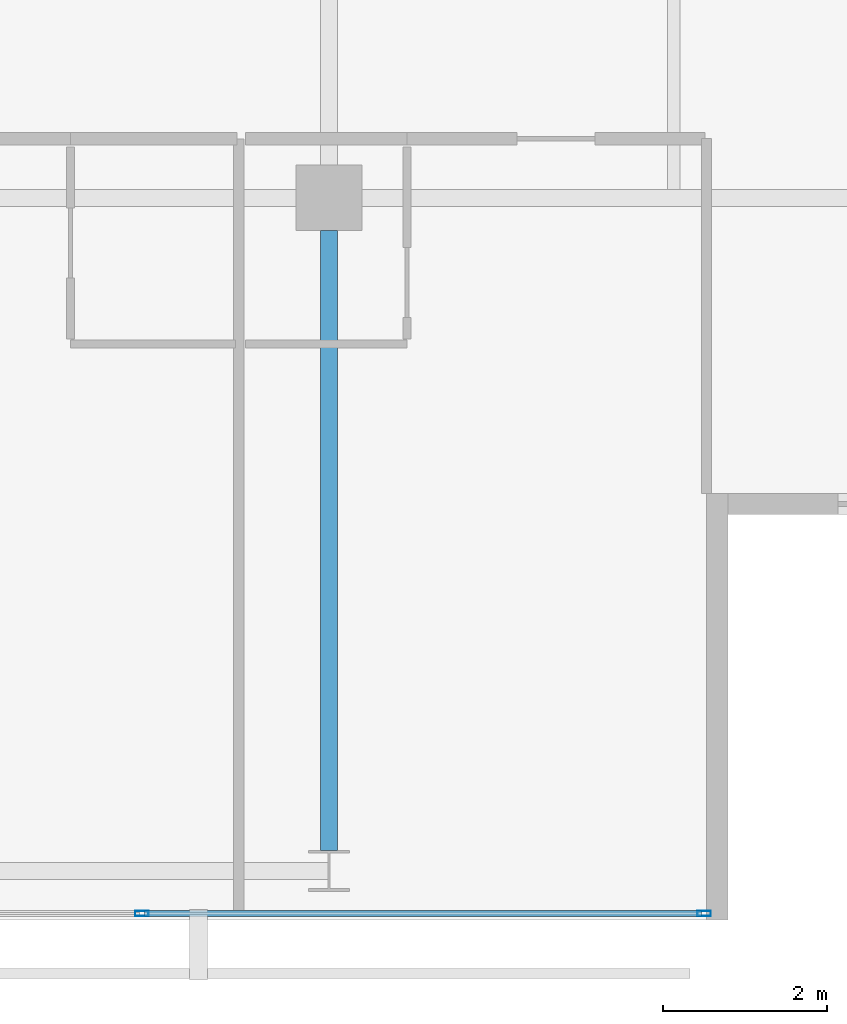
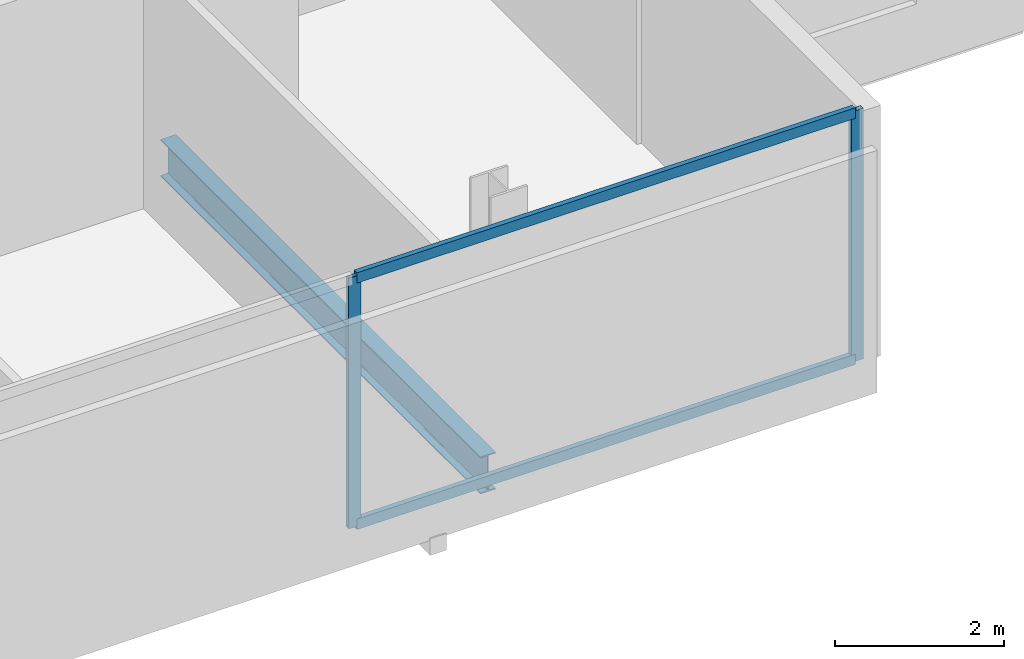
# One storey, part 10 of 26: 4 members, 1 beam, 1 element without a shape of its own.
"""IFC4 building model written with IfcOpenShell, lengths in metres."""

from ifc_helpers import new_model, si_unit, direction, frame, origin, origin_2d, place, context, subcontext, project, spatial, hollow_rectangle, i_section, extrude, material, layer, layer_set, material_profile, profile_set, type_object, element, aggregate, save


model = new_model("IFC4")

# Units and contexts
model_context = context("Model", 3, precision=1e-05, world=origin(), true_north=direction((0.0, 1.0)))
body_context = subcontext(model_context, "Body", "Model", "MODEL_VIEW")
ifc_project = project(units=[si_unit("LENGTHUNIT", "METRE"), si_unit("AREAUNIT", "SQUARE_METRE"), si_unit("VOLUMEUNIT", "CUBIC_METRE"), si_unit("PLANEANGLEUNIT", "RADIAN"), si_unit("MASSUNIT", "GRAM", prefix="KILO")], contexts=[model_context])

# Site, building, storey
site_placement = place(None, origin())
site = spatial("IfcSite", under=ifc_project, at=site_placement, CompositionType="ELEMENT")
building_placement = place(site_placement, origin())
building = spatial("IfcBuilding", under=site, at=building_placement, Name="Maruvema Waterfront Hotel and Observation Tower", CompositionType="ELEMENT")
storey_placement = place(building_placement, frame((0.0, 0.0, 243.25)))
storey = spatial("IfcBuildingStorey", under=building, at=storey_placement, Name="L59", CompositionType="ELEMENT", Elevation=243.25)

# Curtain wall, members
ifc_material_1 = material(Name="Anodised bronze aluminium and solar-control low-E IGU", Category="aluminium")
ifc_layer = layer(ifc_material_1, 0.159912109375, Name="Zone 3 Champagne Inner Thermal Curtain Wall System CW-04")
ifc_layer_set = layer_set([ifc_layer], Name="Anodised bronze aluminium and solar-control low-E IGU")
curtain_wall_type = type_object("IfcCurtainWallType", Name="Zone 3 Champagne Inner Thermal Curtain Wall System CW-04", PredefinedType="USERDEFINED", material=ifc_layer_set)
curtain_wall_placement = place(storey_placement, origin())
curtain_wall = element("IfcCurtainWall", 1, at=curtain_wall_placement, inside=storey, type_object=curtain_wall_type, Name="L59 Curtain Wall CW-L59-S", ObjectType="UNITISED CURTAIN WALL", PredefinedType="USERDEFINED")
ifc_material_2 = material(Name="Anodised architectural bronze aluminium", Category="aluminium")
ifc_material_profile_1 = material_profile(ifc_material_2, hollow_rectangle(XDim=0.070068359375, YDim=0.14990234375, WallThickness=0.00390625, at=origin_2d()), Name="ALU-T70x150")
ifc_profile_set_1 = profile_set([ifc_material_profile_1], Name="Anodised architectural bronze aluminium")
member_type_1 = type_object("IfcMemberType", Name="Curtain Wall Horizontal Transom ALU-T70x150", PredefinedType="USERDEFINED", material=ifc_profile_set_1)
member_1_placement = place(storey_placement, frame((48.14990234375, 9.280029296875, 0.030029296875), z_axis=(1.0, 0.0, 0.0), x_axis=(0.0, 1.0, 0.0)))
member_1 = element("IfcMember", 2, at=member_1_placement, type_object=member_type_1, Name="CW-04 transom 5.1", ObjectType="TRANSOM", PredefinedType="USERDEFINED", context=body_context, shape_type="SweptSolid", body=[
    extrude(hollow_rectangle(XDim=0.070068359375, YDim=0.14990234375, WallThickness=0.00390625, at=origin_2d()), origin(), (0.0, 0.0, 1.0), 6.7900390625),
])
member_2_placement = place(storey_placement, frame((48.14990234375, 9.280029296875, 3.580078125), z_axis=(1.0, 0.0, 0.0), x_axis=(0.0, 1.0, 0.0)))
member_2 = element("IfcMember", 3, at=member_2_placement, type_object=member_type_1, Name="CW-04 transom 5.2", ObjectType="TRANSOM", PredefinedType="USERDEFINED", context=body_context, shape_type="SweptSolid", body=[
    extrude(hollow_rectangle(XDim=0.070068359375, YDim=0.14990234375, WallThickness=0.00390625, at=origin_2d()), origin(), (0.0, 0.0, 1.0), 6.7900390625),
])
ifc_material_3 = material(Name="Anodised architectural bronze aluminium", Category="aluminium")
ifc_material_profile_2 = material_profile(ifc_material_3, hollow_rectangle(XDim=0.06494140625, YDim=0.1650390625, WallThickness=0.00390625, at=origin_2d()), Name="ALU-M65x165")
ifc_profile_set_2 = profile_set([ifc_material_profile_2], Name="Anodised architectural bronze aluminium")
member_type_2 = type_object("IfcMemberType", Name="Curtain Wall Primary Mullion ALU-M65x165", PredefinedType="MULLION", material=ifc_profile_set_2)
member_3_placement = place(storey_placement, frame((48.1201171875, 9.280029296875, 0.0), z_axis=(0.0, 0.0, 1.0), x_axis=(0.0, 1.0, 0.0)))
member_3 = element("IfcMember", 4, at=member_3_placement, type_object=member_type_2, Name="CW-04 mullion 5", PredefinedType="MULLION", context=body_context, shape_type="SweptSolid", body=[
    extrude(hollow_rectangle(XDim=0.06494140625, YDim=0.1650390625, WallThickness=0.00390625, at=origin_2d()), origin(), (0.0, 0.0, 1.0), 3.610107421875),
])
member_4_placement = place(storey_placement, frame((54.969970703125, 9.280029296875, 0.0), z_axis=(0.0, 0.0, 1.0), x_axis=(0.0, 1.0, 0.0)))
member_4 = element("IfcMember", 5, at=member_4_placement, type_object=member_type_2, Name="CW-04 mullion 6", PredefinedType="MULLION", context=body_context, shape_type="SweptSolid", body=[
    extrude(hollow_rectangle(XDim=0.06494140625, YDim=0.1650390625, WallThickness=0.00390625, at=origin_2d()), origin(), (0.0, 0.0, 1.0), 3.610107421875),
])
aggregate(curtain_wall, [member_3, member_4, member_1, member_2])

# Beam
ifc_material_4 = material(Name="Steel ASTM A572 Grade 50", Category="steel")
ifc_material_profile_3 = material_profile(ifc_material_4, i_section(OverallWidth=0.208984375, OverallDepth=0.532958984375, WebThickness=0.01025390625, FlangeThickness=0.015625, FilletRadius=0.014892578125, at=origin_2d()), Name="W530x92.0")
ifc_profile_set_3 = profile_set([ifc_material_profile_3], Name="Steel ASTM A572 Grade 50")
beam_type = type_object("IfcBeamType", Name="Primary Floor Girder W530x92.0", PredefinedType="BEAM", material=ifc_profile_set_3)
beam_placement = place(storey_placement, frame((50.39990234375, 10.050048828125, -0.506591796875), z_axis=(0.0, 1.0, 0.0), x_axis=(-1.0, 0.0, 0.0)))
element("IfcBeam", 6, at=beam_placement, inside=storey, type_object=beam_type, Name="L59 Floor Girder NS-12", PredefinedType="BEAM", context=body_context, shape_type="SweptSolid", body=[
    extrude(i_section(OverallWidth=0.208984375, OverallDepth=0.532958984375, WebThickness=0.01025390625, FlangeThickness=0.015625, FilletRadius=0.014892578125, at=origin_2d()), origin(), (0.0, 0.0, 1.0), 7.550048828125),
])

save(model, "model.ifc")
